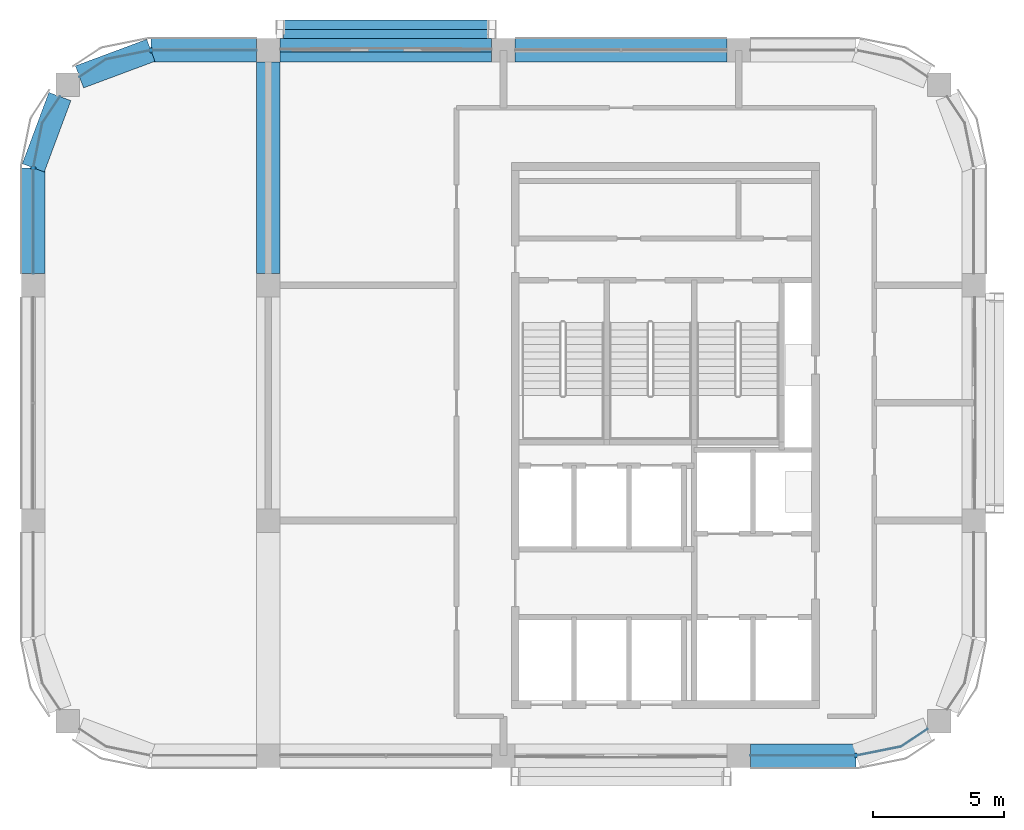
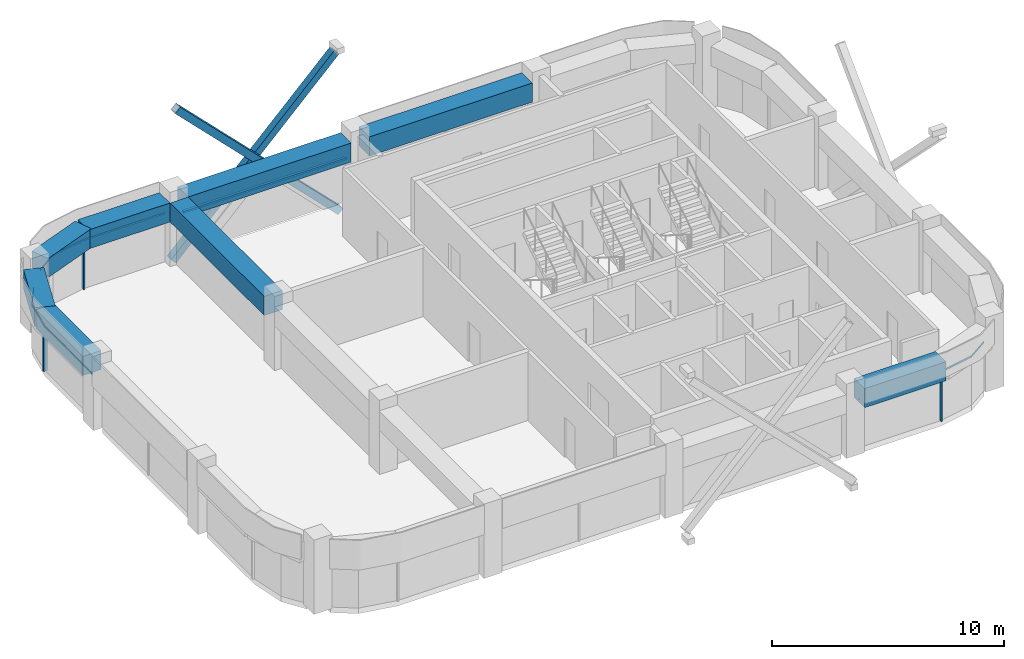
# One storey, part 3 of 9: 9 members, 8 beams, 4 elements without a shape of their own.
"""IFC4 building model written with IfcOpenShell, lengths in metres."""

from ifc_helpers import new_model, si_unit, direction, frame, origin, origin_2d, place, context, subcontext, project, spatial, polyline, rectangle, hollow_rectangle, outline, extrude, material, material_profile, profile_set, type_object, element, aggregate, save


model = new_model("IFC4")

# Units and contexts
model_context = context("Model", 3, precision=1e-05, world=origin(), true_north=direction((0.0, 1.0)))
body_context = subcontext(model_context, "Body", "Model", "MODEL_VIEW")
ifc_project = project(units=[si_unit("LENGTHUNIT", "METRE"), si_unit("AREAUNIT", "SQUARE_METRE"), si_unit("VOLUMEUNIT", "CUBIC_METRE"), si_unit("PLANEANGLEUNIT", "RADIAN"), si_unit("MASSUNIT", "GRAM", prefix="KILO")], contexts=[model_context])

# Site, building, storey
site_placement = place(None, origin())
site = spatial("IfcSite", under=ifc_project, at=site_placement, CompositionType="ELEMENT")
building_placement = place(site_placement, origin())
building = spatial("IfcBuilding", under=site, at=building_placement, Name="Tessera Arch", CompositionType="ELEMENT")
storey_placement = place(building_placement, frame((0.0, 0.0, 316.800048828125)))
storey = spatial("IfcBuildingStorey", under=building, at=storey_placement, Name="L76", CompositionType="ELEMENT", Elevation=316.800048828125)

# Members
ifc_material_1 = material(Name="Steel A500 Gr C", Category="steel")
ifc_material_profile_1 = material_profile(ifc_material_1, hollow_rectangle(XDim=0.355712890625, YDim=0.355712890625, WallThickness=0.01171875, at=origin_2d()), Name="HSS14x14x1/2")
ifc_profile_set_1 = profile_set([ifc_material_profile_1], Name="Steel A500 Gr C")
member_type_1 = type_object("IfcMemberType", Name="Brace HSS14x14x1/2 Steel A500 Gr C", PredefinedType="BRACE", material=ifc_profile_set_1)
for number, where, z_axis, x_axis, name in (
    (1, (35.550048828125, 54.627685546875, -0.800048828125), (-0.704936255944, 0.0, 0.709270664173), (0.0, -1.0, 0.0), "Brace N54.18-2 A L76-L77"),
    (2, (27.449951171875, 54.9833984375, -0.800048828125), (0.704936255944, 0.0, 0.709270664173), (0.0, 1.0, 0.0), "Brace N54.18-2 B L76-L77"),
):
    element("IfcMember", number, at=place(storey_placement, frame(where, z_axis=z_axis, x_axis=x_axis)), inside=storey, type_object=member_type_1, Name=name, PredefinedType="BRACE", context=body_context, shape_type="SweptSolid", body=[
        extrude(hollow_rectangle(XDim=0.355712890625, YDim=0.355712890625, WallThickness=0.01171875, at=origin_2d()), origin(), (0.0, 0.0, 1.0), 11.490478515625),
    ])

# Curtain wall, member
ifc_material_2 = material(Name="CW2 curtain wall")
curtain_wall_type_1 = type_object("IfcCurtainWallType", Name="CW2 curtain wall", PredefinedType="NOTDEFINED", material=ifc_material_2)
curtain_wall_1_placement = place(storey_placement, origin())
curtain_wall_1 = element("IfcCurtainWall", 3, at=curtain_wall_1_placement, inside=storey, type_object=curtain_wall_type_1, Name="CW2 curtain wall N54.18/3 L76", PredefinedType="NOTDEFINED")
ifc_material_3 = material(Name="Anodised aluminium pale metal", Category="aluminium")
ifc_material_profile_2 = material_profile(ifc_material_3, rectangle(XDim=0.199951171875, YDim=0.080078125, at=origin_2d()), Name="AL 80x200")
ifc_profile_set_2 = profile_set([ifc_material_profile_2], Name="Anodised aluminium pale metal")
member_type_2 = type_object("IfcMemberType", Name="CW2 mullion", PredefinedType="MULLION", material=ifc_profile_set_2)
member_1_placement = place(storey_placement, frame((22.5, 54.0, 0.0), z_axis=(0.0, 0.0, 1.0), x_axis=(0.0, -1.0, 0.0)))
member_1 = element("IfcMember", 4, at=member_1_placement, type_object=member_type_2, Name="CW2 mullion N54.18/3 1", PredefinedType="MULLION", context=body_context, shape_type="SweptSolid", body=[
    extrude(rectangle(XDim=0.199951171875, YDim=0.080078125, at=origin_2d()), origin(), (0.0, 0.0, 1.0), 2.5),
])

curtain_wall_2_placement = place(storey_placement, origin())
curtain_wall_2 = element("IfcCurtainWall", 5, at=curtain_wall_2_placement, inside=storey, type_object=curtain_wall_type_1, Name="CW2 curtain wall W18.27/0 L76", PredefinedType="NOTDEFINED")
member_2_placement = place(storey_placement, frame((18.0, 49.5, 0.0), z_axis=(0.0, 0.0, 1.0), x_axis=(1.0, 0.0, 0.0)))
member_2 = element("IfcMember", 6, at=member_2_placement, type_object=member_type_2, Name="CW2 mullion W18.27/0 1", PredefinedType="MULLION", context=body_context, shape_type="SweptSolid", body=[
    extrude(rectangle(XDim=0.199951171875, YDim=0.080078125, at=origin_2d()), origin(), (0.0, 0.0, 1.0), 2.25),
])

curtain_wall_3_placement = place(storey_placement, origin())
curtain_wall_3 = element("IfcCurtainWall", 7, at=curtain_wall_3_placement, inside=storey, type_object=curtain_wall_type_1, Name="CW2 curtain wall S27.18/3 L76", PredefinedType="NOTDEFINED")
member_3_placement = place(storey_placement, frame((49.5, 27.0, 0.0), z_axis=(0.0, 0.0, 1.0), x_axis=(0.0, 1.0, 0.0)))
member_3 = element("IfcMember", 8, at=member_3_placement, type_object=member_type_2, Name="CW2 mullion S27.18/3 1", PredefinedType="MULLION", context=body_context, shape_type="SweptSolid", body=[
    extrude(rectangle(XDim=0.199951171875, YDim=0.080078125, at=origin_2d()), origin(), (0.0, 0.0, 1.0), 2.5),
])

# Member
ifc_material_4 = material(Name="Anodised aluminium pale metal", Category="aluminium")
ifc_material_profile_3 = material_profile(ifc_material_4, rectangle(XDim=0.199951171875, YDim=0.10009765625, at=origin_2d()), Name="AL 200x100")
ifc_profile_set_3 = profile_set([ifc_material_profile_3], Name="Anodised aluminium pale metal")
member_type_3 = type_object("IfcMemberType", Name="CW2 transom", PredefinedType="USERDEFINED", material=ifc_profile_set_3)
member_4_placement = place(storey_placement, frame((0.0, 0.0, 2.5)))
member_4 = element("IfcMember", 9, at=member_4_placement, type_object=member_type_3, Name="CW2 transom N54.18/3 1", ObjectType="TRANSOM", PredefinedType="USERDEFINED", context=body_context, shape_type="SweptSolid", body=[
    extrude(outline(polyline([(22.5009765625, 53.989990234375), (26.550048828125, 53.989990234375), (26.550048828125, 54.010009765625), (22.4990234375, 54.010009765625), (20.77392578125, 53.6669921875), (19.762451171875, 52.990966796875), (19.7734375, 52.974365234375), (20.78173828125, 53.648193359375), (22.5009765625, 53.989990234375)])), origin(), (0.0, 0.0, 1.0), 0.099853515625),
])

aggregate(curtain_wall_1, [member_1, member_4])

member_5_placement = place(storey_placement, frame((0.0, 0.0, 2.25)))
member_5 = element("IfcMember", 10, at=member_5_placement, type_object=member_type_3, Name="CW2 transom W18.27/0 1", ObjectType="TRANSOM", PredefinedType="USERDEFINED", context=body_context, shape_type="SweptSolid", body=[
    extrude(outline(polyline([(18.351806640625, 51.21826171875), (19.025634765625, 52.2265625), (19.009033203125, 52.237548828125), (18.3330078125, 51.22607421875), (17.989990234375, 49.5009765625), (17.989990234375, 45.449951171875), (18.010009765625, 45.449951171875), (18.010009765625, 49.4990234375), (18.351806640625, 51.21826171875)])), origin(), (0.0, 0.0, 1.0), 0.099853515625),
])

aggregate(curtain_wall_2, [member_2, member_5])

member_6_placement = place(storey_placement, frame((0.0, 0.0, 2.5)))
member_6 = element("IfcMember", 11, at=member_6_placement, type_object=member_type_3, Name="CW2 transom S27.18/3 1", ObjectType="TRANSOM", PredefinedType="USERDEFINED", context=body_context, shape_type="SweptSolid", body=[
    extrude(outline(polyline([(49.4990234375, 27.010009765625), (45.449951171875, 27.010009765625), (45.449951171875, 26.989990234375), (49.5009765625, 26.989990234375), (51.22607421875, 27.3330078125), (52.237548828125, 28.009033203125), (52.2265625, 28.025634765625), (51.21826171875, 27.351806640625), (49.4990234375, 27.010009765625)])), origin(), (0.0, 0.0, 1.0), 0.099853515625),
])

aggregate(curtain_wall_3, [member_3, member_6])

# Curtain wall, member
ifc_material_5 = material(Name="CW3 curtain wall")
curtain_wall_type_2 = type_object("IfcCurtainWallType", Name="CW3 curtain wall", PredefinedType="NOTDEFINED", material=ifc_material_5)
curtain_wall_4_placement = place(storey_placement, origin())
curtain_wall_4 = element("IfcCurtainWall", 12, at=curtain_wall_4_placement, inside=storey, type_object=curtain_wall_type_2, Name="CW3 curtain wall N54.18/2 L76", PredefinedType="NOTDEFINED")
ifc_material_6 = material(Name="Anodised aluminium pale metal", Category="aluminium")
ifc_material_profile_4 = material_profile(ifc_material_6, rectangle(XDim=0.139892578125, YDim=0.10009765625, at=origin_2d()), Name="AL 140x100")
ifc_profile_set_4 = profile_set([ifc_material_profile_4], Name="Anodised aluminium pale metal")
member_type_4 = type_object("IfcMemberType", Name="CW3 transom", PredefinedType="USERDEFINED", material=ifc_profile_set_4)
member_7_placement = place(storey_placement, frame((35.550048828125, 54.0, 2.300048828125), z_axis=(-1.0, 0.0, 0.0), x_axis=(0.0, -1.0, 0.0)))
member_7 = element("IfcMember", 13, at=member_7_placement, type_object=member_type_4, Name="CW3 transom N54.18/2 1.1", ObjectType="TRANSOM", PredefinedType="USERDEFINED", context=body_context, shape_type="SweptSolid", body=[
    extrude(rectangle(XDim=0.139892578125, YDim=0.10009765625, at=origin_2d()), origin(), (0.0, 0.0, 1.0), 8.10009765625),
])
aggregate(curtain_wall_4, [member_7])

# Beams
ifc_material_7 = material(Name="Concrete C50/60", Category="concrete")
ifc_material_profile_5 = material_profile(ifc_material_7, rectangle(XDim=0.89990234375, YDim=1.0, at=origin_2d()), Name="RC spandrel beam 900 x 1000 Concrete C50/60")
ifc_profile_set_5 = profile_set([ifc_material_profile_5], Name="Concrete C50/60")
beam_type = type_object("IfcBeamType", Name="RC spandrel beam 900 x 1000 Concrete C50/60", PredefinedType="BEAM", material=ifc_profile_set_5)
for number, where, z_axis, x_axis, name in (
    (14, (44.550048828125, 54.0, 2.849853515625), (-1.0, 0.0, 0.0), (0.0, -1.0, 0.0), "Spandrel beam L76 N54.18/1"),
    (15, (35.550048828125, 54.0, 2.849853515625), (-1.0, 0.0, 0.0), (0.0, -1.0, 0.0), "Spandrel beam L76 N54.18/2"),
):
    element("IfcBeam", number, at=place(storey_placement, frame(where, z_axis=z_axis, x_axis=x_axis)), inside=storey, type_object=beam_type, Name=name, PredefinedType="BEAM", context=body_context, shape_type="SweptSolid", body=[
        extrude(rectangle(XDim=0.89990234375, YDim=1.0, at=origin_2d()), origin(), (0.0, 0.0, 1.0), 8.10009765625),
    ])
beam_1_placement = place(storey_placement, frame((26.550048828125, 54.0, 2.849853515625), z_axis=(-1.0, 0.0, 0.0), x_axis=(0.0, -1.0, 0.0)))
element("IfcBeam", 16, at=beam_1_placement, inside=storey, type_object=beam_type, Name="Spandrel beam L76 N54.18/3.1", PredefinedType="BEAM", context=body_context, shape_type="SweptSolid", body=[
    extrude(rectangle(XDim=0.89990234375, YDim=1.0, at=origin_2d()), origin(), (0.0, 0.0, 1.0), 4.050048828125),
])
for number, where, z_axis, x_axis, name in (
    (17, (22.5, 54.0, 2.849853515625), (-0.937132065211, -0.348974916509, 0.0), (0.348974916509, -0.937132065211, 0.0), "Spandrel beam L76 N54.18/3.2"),
    (18, (19.017333984375, 52.23193359375, 2.849853515625), (-0.348974916509, -0.937132065211, 0.0), (0.937132065211, -0.348974916509, 0.0), "Spandrel beam L76 W18.27/0.1"),
):
    element("IfcBeam", number, at=place(storey_placement, frame(where, z_axis=z_axis, x_axis=x_axis)), inside=storey, type_object=beam_type, Name=name, PredefinedType="BEAM", context=body_context, shape_type="SweptSolid", body=[
        extrude(rectangle(XDim=0.89990234375, YDim=1.0, at=origin_2d()), origin(), (0.0, 0.0, 1.0), 2.915283203125),
    ])
for number, where, z_axis, x_axis, name in (
    (19, (18.0, 49.5, 2.849853515625), (0.0, -1.0, 0.0), (1.0, 0.0, 0.0), "Spandrel beam L76 W18.27/0.2"),
    (20, (45.449951171875, 27.0, 2.849853515625), (1.0, 0.0, 0.0), (0.0, 1.0, 0.0), "Spandrel beam L76 S27.18/3.1"),
):
    element("IfcBeam", number, at=place(storey_placement, frame(where, z_axis=z_axis, x_axis=x_axis)), inside=storey, type_object=beam_type, Name=name, PredefinedType="BEAM", context=body_context, shape_type="SweptSolid", body=[
        extrude(rectangle(XDim=0.89990234375, YDim=1.0, at=origin_2d()), origin(), (0.0, 0.0, 1.0), 4.050048828125),
    ])
beam_2_placement = place(storey_placement, frame((27.0, 45.449951171875, 2.849853515625), z_axis=(0.0, 1.0, 0.0), x_axis=(-1.0, 0.0, 0.0)))
element("IfcBeam", 21, at=beam_2_placement, inside=storey, type_object=beam_type, Name="Interface beam L76 I0C4F-C4G", PredefinedType="BEAM", context=body_context, shape_type="SweptSolid", body=[
    extrude(rectangle(XDim=0.89990234375, YDim=1.0, at=origin_2d()), origin(), (0.0, 0.0, 1.0), 8.10009765625),
])

save(model, "model.ifc")
